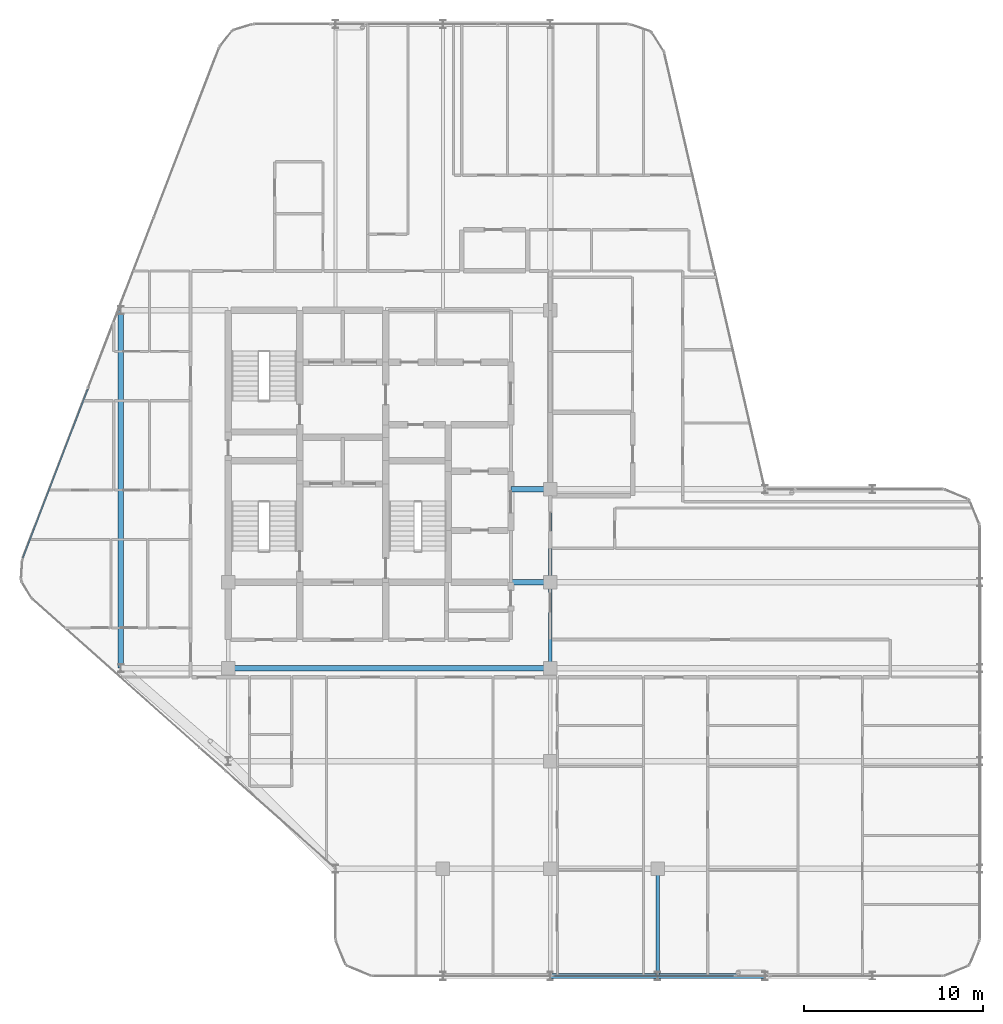
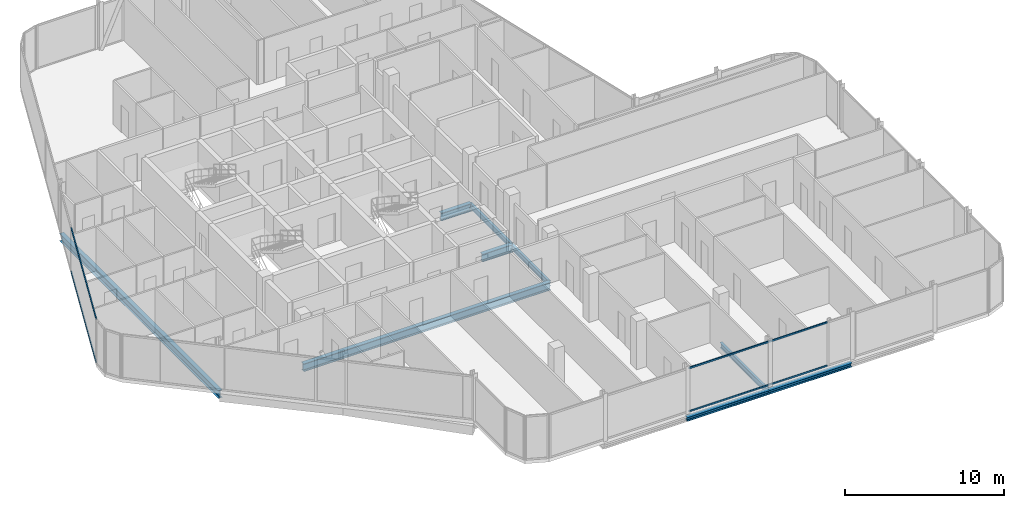
# One storey, part 9 of 29: 9 beams, 4 members, 2 elements without a shape of their own.
"""IFC4 building model written with IfcOpenShell, lengths in metres."""

from ifc_helpers import new_model, si_unit, direction, frame, origin, origin_2d, place, context, subcontext, project, spatial, hollow_rectangle, i_section, extrude, material, layer, layer_set, material_profile, profile_set, type_object, element, aggregate, save


model = new_model("IFC4")

# Units and contexts
model_context = context("Model", 3, precision=1e-05, world=origin(), true_north=direction((0.0, 1.0)))
body_context = subcontext(model_context, "Body", "Model", "MODEL_VIEW")
ifc_project = project(units=[si_unit("LENGTHUNIT", "METRE"), si_unit("AREAUNIT", "SQUARE_METRE"), si_unit("VOLUMEUNIT", "CUBIC_METRE"), si_unit("PLANEANGLEUNIT", "RADIAN"), si_unit("MASSUNIT", "GRAM", prefix="KILO")], contexts=[model_context])

# Site, building, storey
site_placement = place(None, origin())
site = spatial("IfcSite", under=ifc_project, at=site_placement, CompositionType="ELEMENT")
building_placement = place(site_placement, origin())
building = spatial("IfcBuilding", under=site, at=building_placement, Name="Keshet Zoharim Tower", CompositionType="ELEMENT")
storey_placement = place(building_placement, frame((0.0, 0.0, 230.199951171875)))
storey = spatial("IfcBuildingStorey", under=building, at=storey_placement, Name="L57", CompositionType="ELEMENT", Elevation=230.199951171875)

# Beams
ifc_material_1 = material(Name="Steel S355", Category="steel")
ifc_material_profile_1 = material_profile(ifc_material_1, i_section(OverallWidth=0.300048828125, OverallDepth=0.60009765625, WebThickness=0.015380859375, FlangeThickness=0.030029296875, FilletRadius=0.027099609375, at=origin_2d()), Name="HEB600")
ifc_profile_set_1 = profile_set([ifc_material_profile_1], Name="Steel S355")
beam_type_1 = type_object("IfcBeamType", Name="BM-CLK-HB600", PredefinedType="BEAM", material=ifc_profile_set_1)
for number, where, z_axis, x_axis, name in (
    (1, (30.800048828125, 22.699951171875, -0.60986328125), (1.0, 0.0, 0.0), (0.0, 1.0, 0.0), "L57 Core Wall Link Girder 01"),
    (2, (30.800048828125, 27.89990234375, -0.60986328125), (1.0, 0.0, 0.0), (0.0, 1.0, 0.0), "L57 Core Wall Link Girder 02"),
):
    element("IfcBeam", number, at=place(storey_placement, frame(where, z_axis=z_axis, x_axis=x_axis)), inside=storey, type_object=beam_type_1, Name=name, PredefinedType="BEAM", context=body_context, shape_type="SweptSolid", body=[
        extrude(i_section(OverallWidth=0.300048828125, OverallDepth=0.60009765625, WebThickness=0.015380859375, FlangeThickness=0.030029296875, FilletRadius=0.027099609375, at=origin_2d()), origin(), (0.0, 0.0, 1.0), 2.199951171875),
    ])
ifc_material_profile_2 = material_profile(ifc_material_1, i_section(OverallWidth=0.300048828125, OverallDepth=0.60009765625, WebThickness=0.015380859375, FlangeThickness=0.030029296875, FilletRadius=0.027099609375, at=origin_2d()), Name="HEB600")
ifc_profile_set_2 = profile_set([ifc_material_profile_2], Name="Steel S355")
beam_type_2 = type_object("IfcBeamType", Name="BM-LNG-HB600", PredefinedType="BEAM", material=ifc_profile_set_2)
beam_1_placement = place(storey_placement, frame((15.0, 17.89990234375, -0.60986328125), z_axis=(1.0, 0.0, 0.0), x_axis=(0.0, 1.0, 0.0)))
element("IfcBeam", 3, at=beam_1_placement, inside=storey, type_object=beam_type_2, Name="L57 Primary Girder X-012", PredefinedType="BEAM", context=body_context, shape_type="SweptSolid", body=[
    extrude(i_section(OverallWidth=0.300048828125, OverallDepth=0.60009765625, WebThickness=0.015380859375, FlangeThickness=0.030029296875, FilletRadius=0.027099609375, at=origin_2d()), origin(), (0.0, 0.0, 1.0), 18.0),
])
beam_2_placement = place(storey_placement, frame((9.0, 17.89990234375, -0.60986328125), z_axis=(0.0, 1.0, 0.0), x_axis=(-1.0, 0.0, 0.0)))
element("IfcBeam", 4, at=beam_2_placement, inside=storey, type_object=beam_type_2, Name="L57 Primary Girder Y-001", PredefinedType="BEAM", context=body_context, shape_type="SweptSolid", body=[
    extrude(i_section(OverallWidth=0.300048828125, OverallDepth=0.60009765625, WebThickness=0.015380859375, FlangeThickness=0.030029296875, FilletRadius=0.027099609375, at=origin_2d()), origin(), (0.0, 0.0, 1.0), 20.0),
])
ifc_material_profile_3 = material_profile(ifc_material_1, i_section(OverallWidth=0.300048828125, OverallDepth=0.300048828125, WebThickness=0.010986328125, FlangeThickness=0.01904296875, FilletRadius=0.027099609375, at=origin_2d()), Name="HEB300")
ifc_profile_set_3 = profile_set([ifc_material_profile_3], Name="Steel S355")
beam_type_3 = type_object("IfcBeamType", Name="BM-PRI-HB300", PredefinedType="BEAM", material=ifc_profile_set_3)
for number, where, z_axis, x_axis, name in (
    (5, (33.0, 0.699951171875, -0.4599609375), (1.0, 0.0, 0.0), (0.0, 1.0, 0.0), "L57 Primary Girder X-002"),
    (6, (39.0, 0.699951171875, -0.4599609375), (1.0, 0.0, 0.0), (0.0, 1.0, 0.0), "L57 Primary Girder X-003"),
):
    element("IfcBeam", number, at=place(storey_placement, frame(where, z_axis=z_axis, x_axis=x_axis)), inside=storey, type_object=beam_type_3, Name=name, PredefinedType="BEAM", context=body_context, shape_type="SweptSolid", body=[
        extrude(i_section(OverallWidth=0.300048828125, OverallDepth=0.300048828125, WebThickness=0.010986328125, FlangeThickness=0.01904296875, FilletRadius=0.027099609375, at=origin_2d()), origin(), (0.0, 0.0, 1.0), 6.0),
    ])
ifc_material_profile_4 = material_profile(ifc_material_1, i_section(OverallWidth=0.179931640625, OverallDepth=0.39990234375, WebThickness=0.008544921875, FlangeThickness=0.013427734375, FilletRadius=0.02099609375, at=origin_2d()), Name="IPE400")
ifc_profile_set_4 = profile_set([ifc_material_profile_4], Name="Steel S355")
beam_type_4 = type_object("IfcBeamType", Name="BM-PRI-IP400", PredefinedType="BEAM", material=ifc_profile_set_4)
beam_3_placement = place(storey_placement, frame((33.0, 17.89990234375, -0.510009765625), z_axis=(0.0, 1.0, 0.0), x_axis=(-1.0, 0.0, 0.0)))
element("IfcBeam", 7, at=beam_3_placement, inside=storey, type_object=beam_type_4, Name="L57 Primary Girder Y-008", PredefinedType="BEAM", context=body_context, shape_type="SweptSolid", body=[
    extrude(i_section(OverallWidth=0.179931640625, OverallDepth=0.39990234375, WebThickness=0.008544921875, FlangeThickness=0.013427734375, FilletRadius=0.02099609375, at=origin_2d()), origin(), (0.0, 0.0, 1.0), 4.800048828125),
])
beam_4_placement = place(storey_placement, frame((33.0, 22.699951171875, -0.510009765625), z_axis=(0.0, 1.0, 0.0), x_axis=(-1.0, 0.0, 0.0)))
element("IfcBeam", 8, at=beam_4_placement, inside=storey, type_object=beam_type_4, Name="L57 Primary Girder Y-009", PredefinedType="BEAM", context=body_context, shape_type="SweptSolid", body=[
    extrude(i_section(OverallWidth=0.179931640625, OverallDepth=0.39990234375, WebThickness=0.008544921875, FlangeThickness=0.013427734375, FilletRadius=0.02099609375, at=origin_2d()), origin(), (0.0, 0.0, 1.0), 5.199951171875),
])
beam_5_placement = place(storey_placement, frame((39.0, 0.699951171875, -0.510009765625), z_axis=(0.0, 1.0, 0.0), x_axis=(-1.0, 0.0, 0.0)))
element("IfcBeam", 9, at=beam_5_placement, inside=storey, type_object=beam_type_4, Name="L57 Primary Girder Y-012", PredefinedType="BEAM", context=body_context, shape_type="SweptSolid", body=[
    extrude(i_section(OverallWidth=0.179931640625, OverallDepth=0.39990234375, WebThickness=0.008544921875, FlangeThickness=0.013427734375, FilletRadius=0.02099609375, at=origin_2d()), origin(), (0.0, 0.0, 1.0), 6.0),
])

# Curtain wall, members
ifc_material_2 = material(Name="Aluminium 6063-T6", Category="aluminium")
ifc_layer = layer(ifc_material_2, 0.139892578125)
ifc_layer_set = layer_set([ifc_layer], Name="Aluminium 6063-T6")
curtain_wall_type = type_object("IfcCurtainWallType", Name="CW-SYS-05", PredefinedType="NOTDEFINED", material=ifc_layer_set)
curtain_wall_1_placement = place(storey_placement, origin())
curtain_wall_1 = element("IfcCurtainWall", 10, at=curtain_wall_1_placement, inside=storey, type_object=curtain_wall_type, Name="L57 Unitised Curtain Wall 06 Part 3", PredefinedType="NOTDEFINED")
ifc_material_profile_5 = material_profile(ifc_material_2, hollow_rectangle(XDim=0.074951171875, YDim=0.1201171875, WallThickness=0.00390625, at=origin_2d()), Name="TRN-75x120")
ifc_profile_set_5 = profile_set([ifc_material_profile_5], Name="Aluminium 6063-T6")
member_type = type_object("IfcMemberType", Name="CWT-T12", PredefinedType="USERDEFINED", material=ifc_profile_set_5)
member_1_placement = place(storey_placement, frame((43.275146484375, 0.699951171875, 0.03515625), z_axis=(-1.0, 0.0, 0.0), x_axis=(0.0, -1.0, 0.0)))
member_1 = element("IfcMember", 11, at=member_1_placement, type_object=member_type, Name="CW-05 transom 1.1", ObjectType="TRANSOM", PredefinedType="USERDEFINED", context=body_context, shape_type="SweptSolid", body=[
    extrude(hollow_rectangle(XDim=0.074951171875, YDim=0.1201171875, WallThickness=0.00390625, at=origin_2d()), origin(), (0.0, 0.0, 1.0), 10.1025390625),
])
member_2_placement = place(storey_placement, frame((43.275146484375, 0.699951171875, 3.35498046875), z_axis=(-1.0, 0.0, 0.0), x_axis=(0.0, -1.0, 0.0)))
member_2 = element("IfcMember", 12, at=member_2_placement, type_object=member_type, Name="CW-05 transom 1.2", ObjectType="TRANSOM", PredefinedType="USERDEFINED", context=body_context, shape_type="SweptSolid", body=[
    extrude(hollow_rectangle(XDim=0.074951171875, YDim=0.1201171875, WallThickness=0.00390625, at=origin_2d()), origin(), (0.0, 0.0, 1.0), 10.1025390625),
])
aggregate(curtain_wall_1, [member_1, member_2])

curtain_wall_2_placement = place(storey_placement, origin())
curtain_wall_2 = element("IfcCurtainWall", 13, at=curtain_wall_2_placement, inside=storey, type_object=curtain_wall_type, Name="L57 Unitised Curtain Wall 13", PredefinedType="NOTDEFINED")
member_3_placement = place(storey_placement, frame((3.522216796875, 24.058349609375, 0.03515625), z_axis=(0.358993631387, 0.93334000912, 0.0), x_axis=(-0.93334000912, 0.358993631387, 0.0)))
member_3 = element("IfcMember", 14, at=member_3_placement, type_object=member_type, Name="CW-05 transom 1.1", ObjectType="TRANSOM", PredefinedType="USERDEFINED", context=body_context, shape_type="SweptSolid", body=[
    extrude(hollow_rectangle(XDim=0.074951171875, YDim=0.1201171875, WallThickness=0.00390625, at=origin_2d()), origin(), (0.0, 0.0, 1.0), 10.1181640625),
])
member_4_placement = place(storey_placement, frame((3.522216796875, 24.058349609375, 3.35498046875), z_axis=(0.358993631387, 0.93334000912, 0.0), x_axis=(-0.93334000912, 0.358993631387, 0.0)))
member_4 = element("IfcMember", 15, at=member_4_placement, type_object=member_type, Name="CW-05 transom 1.2", ObjectType="TRANSOM", PredefinedType="USERDEFINED", context=body_context, shape_type="SweptSolid", body=[
    extrude(hollow_rectangle(XDim=0.074951171875, YDim=0.1201171875, WallThickness=0.00390625, at=origin_2d()), origin(), (0.0, 0.0, 1.0), 10.1181640625),
])
aggregate(curtain_wall_2, [member_3, member_4])

save(model, "model.ifc")
